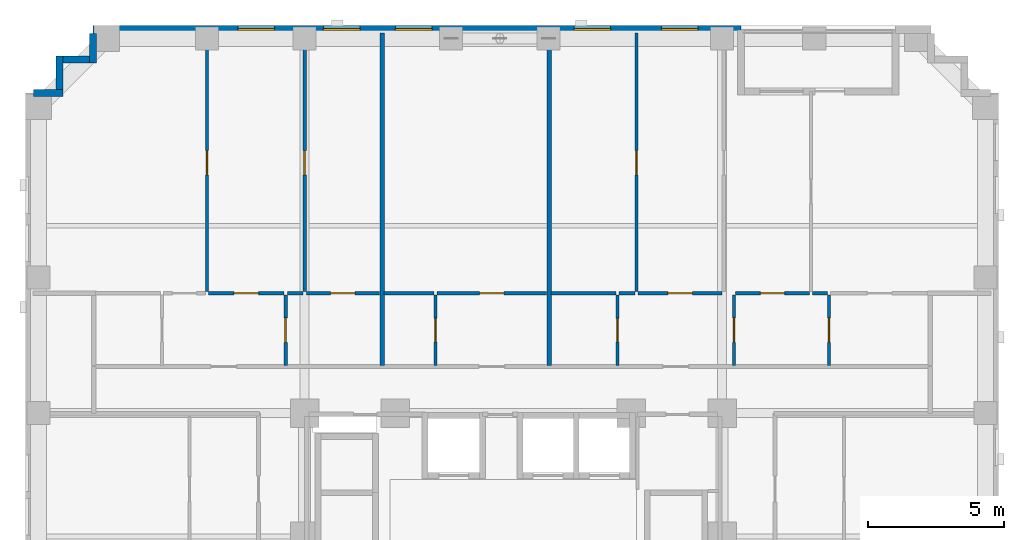
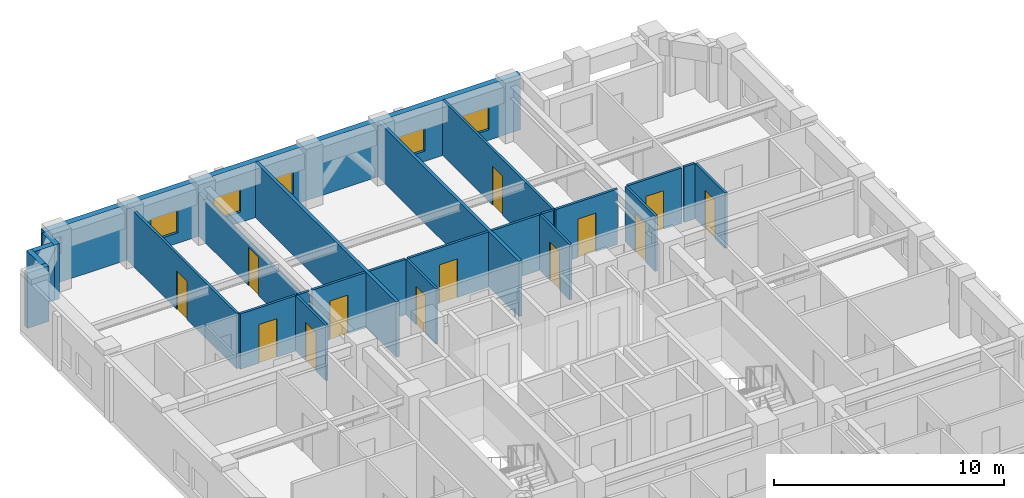
# One storey, part 7 of 12: 25 walls, 13 doors, 5 windows, 18 openings.
"""IFC4 building model written with IfcOpenShell, lengths in metres."""

from ifc_helpers import new_model, si_unit, derived_unit, direction, frame, frame_2d, origin, place, context, subcontext, project, spatial, rectangle, extrude, material, layer, layer_set, type_object, element, fill, save


model = new_model("IFC4")

# Units and contexts
model_context = context("Model", 3, precision=1e-05, world=origin(), true_north=direction((0.0, 1.0)))
body_context = subcontext(model_context, "Body", "Model", "MODEL_VIEW")
ifc_project = project(units=[si_unit("LENGTHUNIT", "METRE"), si_unit("AREAUNIT", "SQUARE_METRE"), si_unit("VOLUMEUNIT", "CUBIC_METRE"), si_unit("PLANEANGLEUNIT", "RADIAN"), si_unit("MASSUNIT", "GRAM", prefix="KILO"), derived_unit("THERMALTRANSMITTANCEUNIT", [(si_unit("MASSUNIT", "GRAM", prefix="KILO"), 1), (si_unit("TIMEUNIT", "SECOND"), -3), (si_unit("THERMODYNAMICTEMPERATUREUNIT", "KELVIN"), -1)])], contexts=[model_context])

# Site, building, storey
site_placement = place(None, origin())
site = spatial("IfcSite", under=ifc_project, at=site_placement, CompositionType="ELEMENT")
building_placement = place(site_placement, origin())
building = spatial("IfcBuilding", under=site, at=building_placement, Name="Korrvale Station Residences", CompositionType="ELEMENT")
storey_placement = place(building_placement, frame((0.0, 0.0, 87.89990234375)))
storey = spatial("IfcBuildingStorey", under=building, at=storey_placement, Name="L24", CompositionType="ELEMENT", Elevation=87.89990234375)

# Walls
ifc_material_1 = material(Name="Precast concrete C45/55", Category="concrete")
ifc_layer_1 = layer(ifc_material_1, 0.260009765625, Name="Precast concrete C45/55")
ifc_layer_set_1 = layer_set([ifc_layer_1], Name="Precast concrete C45/55")
wall_type_1 = type_object("IfcWallType", Name="WAL-EXT-LOG260", PredefinedType="SOLIDWALL", material=ifc_layer_set_1)
wall_1_placement = place(storey_placement, frame((7.802001953125, 40.800048828125, 0.0), z_axis=(0.0, 0.0, 1.0), x_axis=(1.0, 0.0, 0.0)))
element("IfcWall", 1, at=wall_1_placement, inside=storey, type_object=wall_type_1, Name="L24 Serrated Corner Precast Step NW-1", PredefinedType="SOLIDWALL", context=body_context, shape_type="SweptSolid", body=[
    extrude(rectangle(XDim=1.077880859375, YDim=0.260009765625, at=frame_2d((0.5390625, 0.0))), origin(), (0.0, 0.0, 1.0), 2.940185546875),
])
wall_2_placement = place(storey_placement, frame((8.75, 40.931884765625, 0.0), z_axis=(0.0, 0.0, 1.0), x_axis=(0.0, 1.0, 0.0)))
element("IfcWall", 2, at=wall_2_placement, inside=storey, type_object=wall_type_1, Name="L24 Serrated Corner Precast Step NW-2", PredefinedType="SOLIDWALL", context=body_context, shape_type="SweptSolid", body=[
    extrude(rectangle(XDim=1.248046875, YDim=0.260009765625, at=frame_2d((0.6240234375, 0.0))), origin(), (0.0, 0.0, 1.0), 2.940185546875),
])
wall_3_placement = place(storey_placement, frame((8.882080078125, 42.050048828125, 0.0), z_axis=(0.0, 0.0, 1.0), x_axis=(1.0, 0.0, 0.0)))
element("IfcWall", 3, at=wall_3_placement, inside=storey, type_object=wall_type_1, Name="L24 Serrated Corner Precast Step NW-3", PredefinedType="SOLIDWALL", context=body_context, shape_type="SweptSolid", body=[
    extrude(rectangle(XDim=0.98583984375, YDim=0.260009765625, at=frame_2d((0.492919921875, 0.0))), origin(), (0.0, 0.0, 1.0), 2.940185546875),
])
wall_4_placement = place(storey_placement, frame((10.0, 41.919921875, 0.0), z_axis=(0.0, 0.0, 1.0), x_axis=(0.0, 1.0, 0.0)))
element("IfcWall", 4, at=wall_4_placement, inside=storey, type_object=wall_type_1, Name="L24 Serrated Corner Precast Step NW-4", PredefinedType="SOLIDWALL", context=body_context, shape_type="SweptSolid", body=[
    extrude(rectangle(XDim=1.078125, YDim=0.260009765625, at=frame_2d((0.5390625, 0.0))), origin(), (0.0, 0.0, 1.0), 2.940185546875),
])

# Wall, openings, windows
ifc_layer_2 = layer(ifc_material_1, 0.300048828125, Name="Precast concrete C45/55")
ifc_layer_set_2 = layer_set([ifc_layer_2], Name="Precast concrete C45/55")
wall_type_2 = type_object("IfcWallType", Name="WAL-EXT-PC300", PredefinedType="SOLIDWALL", material=ifc_layer_set_2)
wall_5_placement = place(storey_placement, frame((10.0, 43.14990234375, 0.0), z_axis=(0.0, 0.0, 1.0), x_axis=(1.0, 0.0, 0.0)))
wall_5 = element("IfcWall", 5, at=wall_5_placement, inside=storey, type_object=wall_type_2, Name="L24 North Exterior Precast Wall 1", PredefinedType="SOLIDWALL", context=body_context, shape_type="SweptSolid", body=[
    extrude(rectangle(XDim=23.89990234375, YDim=0.300048828125, at=frame_2d((11.949951171875, 0.0))), origin(), (0.0, 0.0, 1.0), 2.940185546875),
])
opening_1_placement = place(wall_5_placement, frame((5.3369140625, 0.0, 0.550048828125)))
opening_1 = element("IfcOpeningElement", 6, at=opening_1_placement, cuts=wall_5, Name="Opening W-10", PredefinedType="OPENING", context=body_context, shape_type="SweptSolid", body=[
    extrude(rectangle(XDim=1.35009765625, YDim=1.199951171875, at=frame_2d((0.675048828125, 0.60009765625))), frame((0.0, 0.16015625, 0.0), z_axis=(0.0, -1.0, 0.0), x_axis=(1.0, 0.0, 0.0)), (0.0, 0.0, 1.0), 0.320068359375),
])
opening_2_placement = place(wall_5_placement, frame((8.493896484375, 0.0, 0.550048828125)))
opening_2 = element("IfcOpeningElement", 7, at=opening_2_placement, cuts=wall_5, Name="Opening W-10", PredefinedType="OPENING", context=body_context, shape_type="SweptSolid", body=[
    extrude(rectangle(XDim=1.35009765625, YDim=1.199951171875, at=frame_2d((0.675048828125, 0.60009765625))), frame((0.0, 0.16015625, 0.0), z_axis=(0.0, -1.0, 0.0), x_axis=(1.0, 0.0, 0.0)), (0.0, 0.0, 1.0), 0.320068359375),
])
opening_3_placement = place(wall_5_placement, frame((11.14990234375, 0.0, 0.550048828125)))
opening_3 = element("IfcOpeningElement", 8, at=opening_3_placement, cuts=wall_5, Name="Opening W-10", PredefinedType="OPENING", context=body_context, shape_type="SweptSolid", body=[
    extrude(rectangle(XDim=1.35009765625, YDim=1.199951171875, at=frame_2d((0.675048828125, 0.60009765625))), frame((0.0, 0.16015625, 0.0), z_axis=(0.0, -1.0, 0.0), x_axis=(1.0, 0.0, 0.0)), (0.0, 0.0, 1.0), 0.320068359375),
])
opening_4_placement = place(wall_5_placement, frame((17.738037109375, 0.0, 0.550048828125)))
opening_4 = element("IfcOpeningElement", 9, at=opening_4_placement, cuts=wall_5, Name="Opening W-10", PredefinedType="OPENING", context=body_context, shape_type="SweptSolid", body=[
    extrude(rectangle(XDim=1.35009765625, YDim=1.199951171875, at=frame_2d((0.675048828125, 0.60009765625))), frame((0.0, 0.16015625, 0.0), z_axis=(0.0, -1.0, 0.0), x_axis=(1.0, 0.0, 0.0)), (0.0, 0.0, 1.0), 0.320068359375),
])
opening_5_placement = place(wall_5_placement, frame((20.969970703125, 0.0, 0.550048828125)))
opening_5 = element("IfcOpeningElement", 10, at=opening_5_placement, cuts=wall_5, Name="Opening W-10", PredefinedType="OPENING", context=body_context, shape_type="SweptSolid", body=[
    extrude(rectangle(XDim=1.35009765625, YDim=1.199951171875, at=frame_2d((0.675048828125, 0.60009765625))), frame((0.0, 0.16015625, 0.0), z_axis=(0.0, -1.0, 0.0), x_axis=(1.0, 0.0, 0.0)), (0.0, 0.0, 1.0), 0.320068359375),
])
ifc_material_2 = material(Name="Thermally broken aluminium frame with triple low-e glazing", Category="aluminium")
window_type = type_object("IfcWindowType", Name="WIN-W10", PartitioningType="SINGLE_PANEL", PredefinedType="WINDOW", material=ifc_material_2)
window_1_placement = place(opening_1_placement, origin())
window_1 = element("IfcWindow", 11, at=window_1_placement, inside=storey, type_object=window_type, Name="L24 Punched Window 13", OverallHeight=1.199951171875, OverallWidth=1.35009765625, PartitioningType="SINGLE_PANEL", PredefinedType="WINDOW", context=body_context, shape_type="SweptSolid", body=[
    extrude(rectangle(XDim=1.35009765625, YDim=1.199951171875, at=frame_2d((0.675048828125, 0.60009765625))), frame((0.0, 0.030029296875, 0.0), z_axis=(0.0, -1.0, 0.0), x_axis=(1.0, 0.0, 0.0)), (0.0, 0.0, 1.0), 0.06005859375),
])
fill(opening_1, window_1)
window_2_placement = place(opening_2_placement, origin())
window_2 = element("IfcWindow", 12, at=window_2_placement, inside=storey, type_object=window_type, Name="L24 Punched Window 14", OverallHeight=1.199951171875, OverallWidth=1.35009765625, PartitioningType="SINGLE_PANEL", PredefinedType="WINDOW", context=body_context, shape_type="SweptSolid", body=[
    extrude(rectangle(XDim=1.35009765625, YDim=1.199951171875, at=frame_2d((0.675048828125, 0.60009765625))), frame((0.0, 0.030029296875, 0.0), z_axis=(0.0, -1.0, 0.0), x_axis=(1.0, 0.0, 0.0)), (0.0, 0.0, 1.0), 0.06005859375),
])
fill(opening_2, window_2)
window_3_placement = place(opening_3_placement, origin())
window_3 = element("IfcWindow", 13, at=window_3_placement, inside=storey, type_object=window_type, Name="L24 Punched Window 15", OverallHeight=1.199951171875, OverallWidth=1.35009765625, PartitioningType="SINGLE_PANEL", PredefinedType="WINDOW", context=body_context, shape_type="SweptSolid", body=[
    extrude(rectangle(XDim=1.35009765625, YDim=1.199951171875, at=frame_2d((0.675048828125, 0.60009765625))), frame((0.0, 0.030029296875, 0.0), z_axis=(0.0, -1.0, 0.0), x_axis=(1.0, 0.0, 0.0)), (0.0, 0.0, 1.0), 0.06005859375),
])
fill(opening_3, window_3)
window_4_placement = place(opening_4_placement, origin())
window_4 = element("IfcWindow", 14, at=window_4_placement, inside=storey, type_object=window_type, Name="L24 Punched Window 16", OverallHeight=1.199951171875, OverallWidth=1.35009765625, PartitioningType="SINGLE_PANEL", PredefinedType="WINDOW", context=body_context, shape_type="SweptSolid", body=[
    extrude(rectangle(XDim=1.35009765625, YDim=1.199951171875, at=frame_2d((0.675048828125, 0.60009765625))), frame((0.0, 0.030029296875, 0.0), z_axis=(0.0, -1.0, 0.0), x_axis=(1.0, 0.0, 0.0)), (0.0, 0.0, 1.0), 0.06005859375),
])
fill(opening_4, window_4)
window_5_placement = place(opening_5_placement, origin())
window_5 = element("IfcWindow", 15, at=window_5_placement, inside=storey, type_object=window_type, Name="L24 Punched Window 17", OverallHeight=1.199951171875, OverallWidth=1.35009765625, PartitioningType="SINGLE_PANEL", PredefinedType="WINDOW", context=body_context, shape_type="SweptSolid", body=[
    extrude(rectangle(XDim=1.35009765625, YDim=1.199951171875, at=frame_2d((0.675048828125, 0.60009765625))), frame((0.0, 0.030029296875, 0.0), z_axis=(0.0, -1.0, 0.0), x_axis=(1.0, 0.0, 0.0)), (0.0, 0.0, 1.0), 0.06005859375),
])
fill(opening_5, window_5)

# Wall, opening, door
ifc_material_3 = material(Name="Acoustic steel-stud gypsum board partition", Category="steel")
ifc_layer_3 = layer(ifc_material_3, 0.1201171875, Name="Acoustic steel-stud gypsum board partition")
ifc_layer_set_3 = layer_set([ifc_layer_3], Name="Acoustic steel-stud gypsum board partition")
wall_type_3 = type_object("IfcWallType", Name="WAL-PART-125", PredefinedType="PARTITIONING", material=ifc_layer_set_3)
wall_6_placement = place(storey_placement, frame((17.10009765625, 30.760009765625, 0.0), z_axis=(0.0, 0.0, 1.0), x_axis=(0.0, 1.0, 0.0)))
wall_6 = element("IfcWall", 16, at=wall_6_placement, inside=storey, type_object=wall_type_3, Name="L24 Suite Partition U05-V12", PredefinedType="PARTITIONING", context=body_context, shape_type="SweptSolid", body=[
    extrude(rectangle(XDim=2.60009765625, YDim=0.1201171875, at=frame_2d((1.300048828125, 0.0))), origin(), (0.0, 0.0, 1.0), 2.940185546875),
])
opening_6_placement = place(wall_6_placement, frame((0.85009765625, 0.0, 0.0)))
opening_6 = element("IfcOpeningElement", 17, at=opening_6_placement, cuts=wall_6, Name="Opening DI-900", PredefinedType="OPENING", context=body_context, shape_type="SweptSolid", body=[
    extrude(rectangle(XDim=0.89990234375, YDim=2.050048828125, at=frame_2d((0.449951171875, 1.02490234375))), frame((0.0, 0.070068359375, 0.0), z_axis=(0.0, -1.0, 0.0), x_axis=(1.0, 0.0, 0.0)), (0.0, 0.0, 1.0), 0.14013671875),
])
ifc_material_4 = material(Name="Painted solid-core timber interior room door", Category="wood")
door_type_1 = type_object("IfcDoorType", Name="DR-INT-900", OperationType="NOTDEFINED", PredefinedType="DOOR", material=ifc_material_4)
door_1_placement = place(opening_6_placement, origin())
door_1 = element("IfcDoor", 18, at=door_1_placement, inside=storey, type_object=door_type_1, Name="L24 Apartment 2BR L24-U05 Kitchen Door", OperationType="SINGLE_SWING_RIGHT", OverallHeight=2.050048828125, OverallWidth=0.89990234375, PredefinedType="DOOR", context=body_context, shape_type="SweptSolid", body=[
    extrude(rectangle(XDim=0.89990234375, YDim=2.050048828125, at=frame_2d((0.449951171875, 1.02490234375))), frame((0.0, 0.02490234375, 0.0), z_axis=(0.0, -1.0, 0.0), x_axis=(1.0, 0.0, 0.0)), (0.0, 0.0, 1.0), 0.050048828125),
])
fill(opening_6, door_1)

wall_7_placement = place(storey_placement, frame((14.260009765625, 33.419921875, 0.0), z_axis=(0.0, 0.0, 1.0), x_axis=(1.0, 0.0, 0.0)))
wall_7 = element("IfcWall", 19, at=wall_7_placement, inside=storey, type_object=wall_type_3, Name="L24 Suite Partition U05-H14", PredefinedType="PARTITIONING", context=body_context, shape_type="SweptSolid", body=[
    extrude(rectangle(XDim=2.780029296875, YDim=0.1201171875, at=frame_2d((1.39013671875, 0.0))), origin(), (0.0, 0.0, 1.0), 2.940185546875),
])
opening_7_placement = place(wall_7_placement, frame((0.93994140625, 0.0, 0.0)))
opening_7 = element("IfcOpeningElement", 20, at=opening_7_placement, cuts=wall_7, Name="Opening DI-900", PredefinedType="OPENING", context=body_context, shape_type="SweptSolid", body=[
    extrude(rectangle(XDim=0.89990234375, YDim=2.050048828125, at=frame_2d((0.449951171875, 1.02490234375))), frame((0.0, 0.070068359375, 0.0), z_axis=(0.0, -1.0, 0.0), x_axis=(1.0, 0.0, 0.0)), (0.0, 0.0, 1.0), 0.14013671875),
])
door_2_placement = place(opening_7_placement, origin())
door_2 = element("IfcDoor", 21, at=door_2_placement, inside=storey, type_object=door_type_1, Name="L24 Apartment 2BR L24-U05 Kitchen Door", OperationType="SINGLE_SWING_RIGHT", OverallHeight=2.050048828125, OverallWidth=0.89990234375, PredefinedType="DOOR", context=body_context, shape_type="SweptSolid", body=[
    extrude(rectangle(XDim=0.89990234375, YDim=2.050048828125, at=frame_2d((0.449951171875, 1.02490234375))), frame((0.0, 0.02490234375, 0.0), z_axis=(0.0, -1.0, 0.0), x_axis=(1.0, 0.0, 0.0)), (0.0, 0.0, 1.0), 0.050048828125),
])
fill(opening_7, door_2)

# Wall
wall_8_placement = place(storey_placement, frame((17.159912109375, 33.419921875, 0.0), z_axis=(0.0, 0.0, 1.0), x_axis=(1.0, 0.0, 0.0)))
element("IfcWall", 22, at=wall_8_placement, inside=storey, type_object=wall_type_3, Name="L24 Suite Partition U05-H24", PredefinedType="PARTITIONING", context=body_context, shape_type="SweptSolid", body=[
    extrude(rectangle(XDim=0.580078125, YDim=0.1201171875, at=frame_2d((0.2900390625, 0.0))), origin(), (0.0, 0.0, 1.0), 2.940185546875),
])

# Wall, opening, door
wall_9_placement = place(storey_placement, frame((17.860107421875, 33.419921875, 0.0), z_axis=(0.0, 0.0, 1.0), x_axis=(1.0, 0.0, 0.0)))
wall_9 = element("IfcWall", 23, at=wall_9_placement, inside=storey, type_object=wall_type_3, Name="L24 Suite Partition U05-H25", PredefinedType="PARTITIONING", context=body_context, shape_type="SweptSolid", body=[
    extrude(rectangle(XDim=2.698974609375, YDim=0.1201171875, at=frame_2d((1.349609375, 0.0))), origin(), (0.0, 0.0, 1.0), 2.940185546875),
])
opening_8_placement = place(wall_9_placement, frame((0.89892578125, 0.0, 0.0)))
opening_8 = element("IfcOpeningElement", 24, at=opening_8_placement, cuts=wall_9, Name="Opening DI-900", PredefinedType="OPENING", context=body_context, shape_type="SweptSolid", body=[
    extrude(rectangle(XDim=0.89990234375, YDim=2.050048828125, at=frame_2d((0.449951171875, 1.02490234375))), frame((0.0, 0.070068359375, 0.0), z_axis=(0.0, -1.0, 0.0), x_axis=(1.0, 0.0, 0.0)), (0.0, 0.0, 1.0), 0.14013671875),
])
door_3_placement = place(opening_8_placement, origin())
door_3 = element("IfcDoor", 25, at=door_3_placement, inside=storey, type_object=door_type_1, Name="L24 Apartment 2BR L24-U05 Home Study Room Door", OperationType="SINGLE_SWING_LEFT", OverallHeight=2.050048828125, OverallWidth=0.89990234375, PredefinedType="DOOR", context=body_context, shape_type="SweptSolid", body=[
    extrude(rectangle(XDim=0.89990234375, YDim=2.050048828125, at=frame_2d((0.449951171875, 1.02490234375))), frame((0.0, 0.02490234375, 0.0), z_axis=(0.0, -1.0, 0.0), x_axis=(1.0, 0.0, 0.0)), (0.0, 0.0, 1.0), 0.050048828125),
])
fill(opening_8, door_3)

wall_10_placement = place(storey_placement, frame((14.199951171875, 33.47998046875, 0.0), z_axis=(0.0, 0.0, 1.0), x_axis=(0.0, 1.0, 0.0)))
wall_10 = element("IfcWall", 26, at=wall_10_placement, inside=storey, type_object=wall_type_3, Name="L24 Suite Partition U05-V34", PredefinedType="PARTITIONING", context=body_context, shape_type="SweptSolid", body=[
    extrude(rectangle(XDim=9.5400390625, YDim=0.1201171875, at=frame_2d((4.77001953125, 0.0))), origin(), (0.0, 0.0, 1.0), 2.940185546875),
])
opening_9_placement = place(wall_10_placement, frame((4.304931640625, 0.0, 0.0)))
opening_9 = element("IfcOpeningElement", 27, at=opening_9_placement, cuts=wall_10, Name="Opening DI-900", PredefinedType="OPENING", context=body_context, shape_type="SweptSolid", body=[
    extrude(rectangle(XDim=0.89990234375, YDim=2.050048828125, at=frame_2d((0.449951171875, 1.02490234375))), frame((0.0, 0.070068359375, 0.0), z_axis=(0.0, -1.0, 0.0), x_axis=(1.0, 0.0, 0.0)), (0.0, 0.0, 1.0), 0.14013671875),
])
door_4_placement = place(opening_9_placement, origin())
door_4 = element("IfcDoor", 28, at=door_4_placement, inside=storey, type_object=door_type_1, Name="L24 Apartment 2BR L24-U05 Living and Dining Room Door", OperationType="SINGLE_SWING_RIGHT", OverallHeight=2.050048828125, OverallWidth=0.89990234375, PredefinedType="DOOR", context=body_context, shape_type="SweptSolid", body=[
    extrude(rectangle(XDim=0.89990234375, YDim=2.050048828125, at=frame_2d((0.449951171875, 1.02490234375))), frame((0.0, 0.02490234375, 0.0), z_axis=(0.0, -1.0, 0.0), x_axis=(1.0, 0.0, 0.0)), (0.0, 0.0, 1.0), 0.050048828125),
])
fill(opening_9, door_4)

wall_11_placement = place(storey_placement, frame((17.800048828125, 33.47998046875, 0.0), z_axis=(0.0, 0.0, 1.0), x_axis=(0.0, 1.0, 0.0)))
wall_11 = element("IfcWall", 29, at=wall_11_placement, inside=storey, type_object=wall_type_3, Name="L24 Suite Partition U05-V45", PredefinedType="PARTITIONING", context=body_context, shape_type="SweptSolid", body=[
    extrude(rectangle(XDim=9.5400390625, YDim=0.1201171875, at=frame_2d((4.77001953125, 0.0))), origin(), (0.0, 0.0, 1.0), 2.30908203125),
])
opening_10_placement = place(wall_11_placement, frame((4.304931640625, 0.0, 0.0)))
opening_10 = element("IfcOpeningElement", 30, at=opening_10_placement, cuts=wall_11, Name="Opening DI-900", PredefinedType="OPENING", context=body_context, shape_type="SweptSolid", body=[
    extrude(rectangle(XDim=0.89990234375, YDim=2.050048828125, at=frame_2d((0.449951171875, 1.02490234375))), frame((0.0, 0.070068359375, 0.0), z_axis=(0.0, -1.0, 0.0), x_axis=(1.0, 0.0, 0.0)), (0.0, 0.0, 1.0), 0.14013671875),
])
door_5_placement = place(opening_10_placement, origin())
door_5 = element("IfcDoor", 31, at=door_5_placement, inside=storey, type_object=door_type_1, Name="L24 Apartment 2BR L24-U05 Bedroom 1 Door", OperationType="SINGLE_SWING_LEFT", OverallHeight=2.050048828125, OverallWidth=0.89990234375, PredefinedType="DOOR", context=body_context, shape_type="SweptSolid", body=[
    extrude(rectangle(XDim=0.89990234375, YDim=2.050048828125, at=frame_2d((0.449951171875, 1.02490234375))), frame((0.0, 0.02490234375, 0.0), z_axis=(0.0, -1.0, 0.0), x_axis=(1.0, 0.0, 0.0)), (0.0, 0.0, 1.0), 0.050048828125),
])
fill(opening_10, door_5)

wall_12_placement = place(storey_placement, frame((22.62890625, 30.760009765625, 0.0), z_axis=(0.0, 0.0, 1.0), x_axis=(0.0, 1.0, 0.0)))
wall_12 = element("IfcWall", 32, at=wall_12_placement, inside=storey, type_object=wall_type_3, Name="L24 Suite Partition U06-V01", PredefinedType="PARTITIONING", context=body_context, shape_type="SweptSolid", body=[
    extrude(rectangle(XDim=2.60009765625, YDim=0.1201171875, at=frame_2d((1.300048828125, 0.0))), origin(), (0.0, 0.0, 1.0), 2.940185546875),
])
opening_11_placement = place(wall_12_placement, frame((0.8701171875, 0.0, 0.0)))
opening_11 = element("IfcOpeningElement", 33, at=opening_11_placement, cuts=wall_12, Name="Opening DB-860", PredefinedType="OPENING", context=body_context, shape_type="SweptSolid", body=[
    extrude(rectangle(XDim=0.860107421875, YDim=2.050048828125, at=frame_2d((0.43017578125, 1.02490234375))), frame((0.0, 0.070068359375, 0.0), z_axis=(0.0, -1.0, 0.0), x_axis=(1.0, 0.0, 0.0)), (0.0, 0.0, 1.0), 0.14013671875),
])
ifc_material_5 = material(Name="Moisture-resistant solid-core bathroom door", Category="timber")
door_type_2 = type_object("IfcDoorType", Name="DR-BATH-860", OperationType="NOTDEFINED", PredefinedType="DOOR", material=ifc_material_5)
door_6_placement = place(opening_11_placement, origin())
door_6 = element("IfcDoor", 34, at=door_6_placement, inside=storey, type_object=door_type_2, Name="L24 Studio Apartment L24-U06 Bathroom Door", OperationType="SINGLE_SWING_RIGHT", OverallHeight=2.050048828125, OverallWidth=0.860107421875, PredefinedType="DOOR", context=body_context, shape_type="SweptSolid", body=[
    extrude(rectangle(XDim=0.860107421875, YDim=2.050048828125, at=frame_2d((0.43017578125, 1.02490234375))), frame((0.0, 0.02490234375, 0.0), z_axis=(0.0, -1.0, 0.0), x_axis=(1.0, 0.0, 0.0)), (0.0, 0.0, 1.0), 0.050048828125),
])
fill(opening_11, door_6)

# Wall
wall_13_placement = place(storey_placement, frame((20.718994140625, 33.419921875, 0.0), z_axis=(0.0, 0.0, 1.0), x_axis=(1.0, 0.0, 0.0)))
element("IfcWall", 35, at=wall_13_placement, inside=storey, type_object=wall_type_3, Name="L24 Suite Partition U06-H02", PredefinedType="PARTITIONING", context=body_context, shape_type="SweptSolid", body=[
    extrude(rectangle(XDim=1.85009765625, YDim=0.1201171875, at=frame_2d((0.925048828125, 0.0))), origin(), (0.0, 0.0, 1.0), 2.940185546875),
])

# Wall, opening, door
wall_14_placement = place(storey_placement, frame((22.68896484375, 33.419921875, 0.0), z_axis=(0.0, 0.0, 1.0), x_axis=(1.0, 0.0, 0.0)))
wall_14 = element("IfcWall", 36, at=wall_14_placement, inside=storey, type_object=wall_type_3, Name="L24 Suite Partition U06-H12", PredefinedType="PARTITIONING", context=body_context, shape_type="SweptSolid", body=[
    extrude(rectangle(XDim=4.031005859375, YDim=0.1201171875, at=frame_2d((2.015625, 0.0))), origin(), (0.0, 0.0, 1.0), 2.940185546875),
])
opening_12_placement = place(wall_14_placement, frame((1.56494140625, 0.0, 0.0)))
opening_12 = element("IfcOpeningElement", 37, at=opening_12_placement, cuts=wall_14, Name="Opening DI-900", PredefinedType="OPENING", context=body_context, shape_type="SweptSolid", body=[
    extrude(rectangle(XDim=0.89990234375, YDim=2.050048828125, at=frame_2d((0.449951171875, 1.02490234375))), frame((0.0, 0.070068359375, 0.0), z_axis=(0.0, -1.0, 0.0), x_axis=(1.0, 0.0, 0.0)), (0.0, 0.0, 1.0), 0.14013671875),
])
door_7_placement = place(opening_12_placement, origin())
door_7 = element("IfcDoor", 38, at=door_7_placement, inside=storey, type_object=door_type_1, Name="L24 Studio Apartment L24-U06 Kitchen Door", OperationType="SINGLE_SWING_LEFT", OverallHeight=2.050048828125, OverallWidth=0.89990234375, PredefinedType="DOOR", context=body_context, shape_type="SweptSolid", body=[
    extrude(rectangle(XDim=0.89990234375, YDim=2.050048828125, at=frame_2d((0.449951171875, 1.02490234375))), frame((0.0, 0.02490234375, 0.0), z_axis=(0.0, -1.0, 0.0), x_axis=(1.0, 0.0, 0.0)), (0.0, 0.0, 1.0), 0.050048828125),
])
fill(opening_12, door_7)

wall_15_placement = place(storey_placement, frame((29.340087890625, 30.760009765625, 0.0), z_axis=(0.0, 0.0, 1.0), x_axis=(0.0, 1.0, 0.0)))
wall_15 = element("IfcWall", 39, at=wall_15_placement, inside=storey, type_object=wall_type_3, Name="L24 Suite Partition U07-V01", PredefinedType="PARTITIONING", context=body_context, shape_type="SweptSolid", body=[
    extrude(rectangle(XDim=2.60009765625, YDim=0.1201171875, at=frame_2d((1.300048828125, 0.0))), origin(), (0.0, 0.0, 1.0), 2.940185546875),
])
opening_13_placement = place(wall_15_placement, frame((0.8701171875, 0.0, 0.0)))
opening_13 = element("IfcOpeningElement", 40, at=opening_13_placement, cuts=wall_15, Name="Opening DB-860", PredefinedType="OPENING", context=body_context, shape_type="SweptSolid", body=[
    extrude(rectangle(XDim=0.860107421875, YDim=2.050048828125, at=frame_2d((0.43017578125, 1.02490234375))), frame((0.0, 0.070068359375, 0.0), z_axis=(0.0, -1.0, 0.0), x_axis=(1.0, 0.0, 0.0)), (0.0, 0.0, 1.0), 0.14013671875),
])
door_8_placement = place(opening_13_placement, origin())
door_8 = element("IfcDoor", 41, at=door_8_placement, inside=storey, type_object=door_type_2, Name="L24 Studio Apartment L24-U07 Bathroom Door", OperationType="SINGLE_SWING_RIGHT", OverallHeight=2.050048828125, OverallWidth=0.860107421875, PredefinedType="DOOR", context=body_context, shape_type="SweptSolid", body=[
    extrude(rectangle(XDim=0.860107421875, YDim=2.050048828125, at=frame_2d((0.43017578125, 1.02490234375))), frame((0.0, 0.02490234375, 0.0), z_axis=(0.0, -1.0, 0.0), x_axis=(1.0, 0.0, 0.0)), (0.0, 0.0, 1.0), 0.050048828125),
])
fill(opening_13, door_8)

# Wall
wall_16_placement = place(storey_placement, frame((26.8798828125, 33.419921875, 0.0), z_axis=(0.0, 0.0, 1.0), x_axis=(1.0, 0.0, 0.0)))
element("IfcWall", 42, at=wall_16_placement, inside=storey, type_object=wall_type_3, Name="L24 Suite Partition U07-H04", PredefinedType="PARTITIONING", context=body_context, shape_type="SweptSolid", body=[
    extrude(rectangle(XDim=2.400146484375, YDim=0.1201171875, at=frame_2d((1.2001953125, 0.0))), origin(), (0.0, 0.0, 1.0), 2.940185546875),
])

# Wall, opening, door
wall_17_placement = place(storey_placement, frame((33.639892578125, 30.760009765625, 0.0), z_axis=(0.0, 0.0, 1.0), x_axis=(0.0, 1.0, 0.0)))
wall_17 = element("IfcWall", 43, at=wall_17_placement, inside=storey, type_object=wall_type_3, Name="L24 Suite Partition U07-V12", PredefinedType="PARTITIONING", context=body_context, shape_type="SweptSolid", body=[
    extrude(rectangle(XDim=2.60009765625, YDim=0.1201171875, at=frame_2d((1.300048828125, 0.0))), origin(), (0.0, 0.0, 1.0), 2.940185546875),
])
opening_14_placement = place(wall_17_placement, frame((0.85009765625, 0.0, 0.0)))
opening_14 = element("IfcOpeningElement", 44, at=opening_14_placement, cuts=wall_17, Name="Opening DI-900", PredefinedType="OPENING", context=body_context, shape_type="SweptSolid", body=[
    extrude(rectangle(XDim=0.89990234375, YDim=2.050048828125, at=frame_2d((0.449951171875, 1.02490234375))), frame((0.0, 0.070068359375, 0.0), z_axis=(0.0, -1.0, 0.0), x_axis=(1.0, 0.0, 0.0)), (0.0, 0.0, 1.0), 0.14013671875),
])
door_9_placement = place(opening_14_placement, origin())
door_9 = element("IfcDoor", 45, at=door_9_placement, inside=storey, type_object=door_type_1, Name="L24 Studio Apartment L24-U07 Kitchen Door", OperationType="SINGLE_SWING_LEFT", OverallHeight=2.050048828125, OverallWidth=0.89990234375, PredefinedType="DOOR", context=body_context, shape_type="SweptSolid", body=[
    extrude(rectangle(XDim=0.89990234375, YDim=2.050048828125, at=frame_2d((0.449951171875, 1.02490234375))), frame((0.0, 0.02490234375, 0.0), z_axis=(0.0, -1.0, 0.0), x_axis=(1.0, 0.0, 0.0)), (0.0, 0.0, 1.0), 0.050048828125),
])
fill(opening_14, door_9)

# Wall
wall_18_placement = place(storey_placement, frame((29.39990234375, 33.419921875, 0.0), z_axis=(0.0, 0.0, 1.0), x_axis=(1.0, 0.0, 0.0)))
element("IfcWall", 46, at=wall_18_placement, inside=storey, type_object=wall_type_3, Name="L24 Suite Partition U07-H14", PredefinedType="PARTITIONING", context=body_context, shape_type="SweptSolid", body=[
    extrude(rectangle(XDim=0.580078125, YDim=0.1201171875, at=frame_2d((0.2900390625, 0.0))), origin(), (0.0, 0.0, 1.0), 2.940185546875),
])

# Wall, opening, door
wall_19_placement = place(storey_placement, frame((30.10009765625, 33.419921875, 0.0), z_axis=(0.0, 0.0, 1.0), x_axis=(1.0, 0.0, 0.0)))
wall_19 = element("IfcWall", 47, at=wall_19_placement, inside=storey, type_object=wall_type_3, Name="L24 Suite Partition U07-H15", PredefinedType="PARTITIONING", context=body_context, shape_type="SweptSolid", body=[
    extrude(rectangle(XDim=3.099853515625, YDim=0.1201171875, at=frame_2d((1.5498046875, 0.0))), origin(), (0.0, 0.0, 1.0), 2.940185546875),
])
opening_15_placement = place(wall_19_placement, frame((1.10009765625, 0.0, 0.0)))
opening_15 = element("IfcOpeningElement", 48, at=opening_15_placement, cuts=wall_19, Name="Opening DI-900", PredefinedType="OPENING", context=body_context, shape_type="SweptSolid", body=[
    extrude(rectangle(XDim=0.89990234375, YDim=2.050048828125, at=frame_2d((0.449951171875, 1.02490234375))), frame((0.0, 0.070068359375, 0.0), z_axis=(0.0, -1.0, 0.0), x_axis=(1.0, 0.0, 0.0)), (0.0, 0.0, 1.0), 0.14013671875),
])
door_10_placement = place(opening_15_placement, origin())
door_10 = element("IfcDoor", 49, at=door_10_placement, inside=storey, type_object=door_type_1, Name="L24 Studio Apartment L24-U07 Kitchen Door", OperationType="SINGLE_SWING_RIGHT", OverallHeight=2.050048828125, OverallWidth=0.89990234375, PredefinedType="DOOR", context=body_context, shape_type="SweptSolid", body=[
    extrude(rectangle(XDim=0.89990234375, YDim=2.050048828125, at=frame_2d((0.449951171875, 1.02490234375))), frame((0.0, 0.02490234375, 0.0), z_axis=(0.0, -1.0, 0.0), x_axis=(1.0, 0.0, 0.0)), (0.0, 0.0, 1.0), 0.050048828125),
])
fill(opening_15, door_10)

wall_20_placement = place(storey_placement, frame((37.14501953125, 30.760009765625, 0.0), z_axis=(0.0, 0.0, 1.0), x_axis=(0.0, 1.0, 0.0)))
wall_20 = element("IfcWall", 50, at=wall_20_placement, inside=storey, type_object=wall_type_3, Name="L24 Suite Partition U07-V23", PredefinedType="PARTITIONING", context=body_context, shape_type="SweptSolid", body=[
    extrude(rectangle(XDim=2.60009765625, YDim=0.1201171875, at=frame_2d((1.300048828125, 0.0))), origin(), (0.0, 0.0, 1.0), 2.940185546875),
])
opening_16_placement = place(wall_20_placement, frame((0.85009765625, 0.0, 0.0)))
opening_16 = element("IfcOpeningElement", 51, at=opening_16_placement, cuts=wall_20, Name="Opening DI-900", PredefinedType="OPENING", context=body_context, shape_type="SweptSolid", body=[
    extrude(rectangle(XDim=0.89990234375, YDim=2.050048828125, at=frame_2d((0.449951171875, 1.02490234375))), frame((0.0, 0.070068359375, 0.0), z_axis=(0.0, -1.0, 0.0), x_axis=(1.0, 0.0, 0.0)), (0.0, 0.0, 1.0), 0.14013671875),
])
door_11_placement = place(opening_16_placement, origin())
door_11 = element("IfcDoor", 52, at=door_11_placement, inside=storey, type_object=door_type_1, Name="L24 Studio Apartment L24-U07 Home Study Room Door", OperationType="SINGLE_SWING_LEFT", OverallHeight=2.050048828125, OverallWidth=0.89990234375, PredefinedType="DOOR", context=body_context, shape_type="SweptSolid", body=[
    extrude(rectangle(XDim=0.89990234375, YDim=2.050048828125, at=frame_2d((0.449951171875, 1.02490234375))), frame((0.0, 0.02490234375, 0.0), z_axis=(0.0, -1.0, 0.0), x_axis=(1.0, 0.0, 0.0)), (0.0, 0.0, 1.0), 0.050048828125),
])
fill(opening_16, door_11)

wall_21_placement = place(storey_placement, frame((33.699951171875, 33.419921875, 0.0), z_axis=(0.0, 0.0, 1.0), x_axis=(1.0, 0.0, 0.0)))
wall_21 = element("IfcWall", 53, at=wall_21_placement, inside=storey, type_object=wall_type_3, Name="L24 Suite Partition U07-H26", PredefinedType="PARTITIONING", context=body_context, shape_type="SweptSolid", body=[
    extrude(rectangle(XDim=2.719970703125, YDim=0.1201171875, at=frame_2d((1.35986328125, 0.0))), origin(), (0.0, 0.0, 1.0), 2.940185546875),
])
opening_17_placement = place(wall_21_placement, frame((0.909912109375, 0.0, 0.0)))
opening_17 = element("IfcOpeningElement", 54, at=opening_17_placement, cuts=wall_21, Name="Opening DI-900", PredefinedType="OPENING", context=body_context, shape_type="SweptSolid", body=[
    extrude(rectangle(XDim=0.89990234375, YDim=2.050048828125, at=frame_2d((0.449951171875, 1.02490234375))), frame((0.0, 0.070068359375, 0.0), z_axis=(0.0, -1.0, 0.0), x_axis=(1.0, 0.0, 0.0)), (0.0, 0.0, 1.0), 0.14013671875),
])
door_12_placement = place(opening_17_placement, origin())
door_12 = element("IfcDoor", 55, at=door_12_placement, inside=storey, type_object=door_type_1, Name="L24 Studio Apartment L24-U07 Home Study Room Door", OperationType="SINGLE_SWING_RIGHT", OverallHeight=2.050048828125, OverallWidth=0.89990234375, PredefinedType="DOOR", context=body_context, shape_type="SweptSolid", body=[
    extrude(rectangle(XDim=0.89990234375, YDim=2.050048828125, at=frame_2d((0.449951171875, 1.02490234375))), frame((0.0, 0.02490234375, 0.0), z_axis=(0.0, -1.0, 0.0), x_axis=(1.0, 0.0, 0.0)), (0.0, 0.0, 1.0), 0.050048828125),
])
fill(opening_17, door_12)

# Wall
wall_22_placement = place(storey_placement, frame((36.5400390625, 33.419921875, 0.0), z_axis=(0.0, 0.0, 1.0), x_axis=(1.0, 0.0, 0.0)))
element("IfcWall", 56, at=wall_22_placement, inside=storey, type_object=wall_type_3, Name="L24 Suite Partition U07-H27", PredefinedType="PARTITIONING", context=body_context, shape_type="SweptSolid", body=[
    extrude(rectangle(XDim=0.544921875, YDim=0.1201171875, at=frame_2d((0.2724609375, 0.0))), origin(), (0.0, 0.0, 1.0), 2.940185546875),
])

# Wall, opening, door
wall_23_placement = place(storey_placement, frame((30.0400390625, 33.47998046875, 0.0), z_axis=(0.0, 0.0, 1.0), x_axis=(0.0, 1.0, 0.0)))
wall_23 = element("IfcWall", 57, at=wall_23_placement, inside=storey, type_object=wall_type_3, Name="L24 Suite Partition U07-V45", PredefinedType="PARTITIONING", context=body_context, shape_type="SweptSolid", body=[
    extrude(rectangle(XDim=9.5400390625, YDim=0.1201171875, at=frame_2d((4.77001953125, 0.0))), origin(), (0.0, 0.0, 1.0), 2.940185546875),
])
opening_18_placement = place(wall_23_placement, frame((4.304931640625, 0.0, 0.0)))
opening_18 = element("IfcOpeningElement", 58, at=opening_18_placement, cuts=wall_23, Name="Opening DI-900", PredefinedType="OPENING", context=body_context, shape_type="SweptSolid", body=[
    extrude(rectangle(XDim=0.89990234375, YDim=2.050048828125, at=frame_2d((0.449951171875, 1.02490234375))), frame((0.0, 0.070068359375, 0.0), z_axis=(0.0, -1.0, 0.0), x_axis=(1.0, 0.0, 0.0)), (0.0, 0.0, 1.0), 0.14013671875),
])
door_13_placement = place(opening_18_placement, origin())
door_13 = element("IfcDoor", 59, at=door_13_placement, inside=storey, type_object=door_type_1, Name="L24 Studio Apartment L24-U07 Formal Dining Room Door", OperationType="SINGLE_SWING_RIGHT", OverallHeight=2.050048828125, OverallWidth=0.89990234375, PredefinedType="DOOR", context=body_context, shape_type="SweptSolid", body=[
    extrude(rectangle(XDim=0.89990234375, YDim=2.050048828125, at=frame_2d((0.449951171875, 1.02490234375))), frame((0.0, 0.02490234375, 0.0), z_axis=(0.0, -1.0, 0.0), x_axis=(1.0, 0.0, 0.0)), (0.0, 0.0, 1.0), 0.050048828125),
])
fill(opening_18, door_13)

# Walls
ifc_material_6 = material(Name="Fire-rated twin-stud gypsum and mineral wool shaftwall assembly", Category="gypsum")
ifc_layer_4 = layer(ifc_material_6, 0.159912109375, Name="Fire-rated twin-stud gypsum and mineral wool shaftwall assembly")
ifc_layer_set_4 = layer_set([ifc_layer_4], Name="Fire-rated twin-stud gypsum and mineral wool shaftwall assembly")
wall_type_4 = type_object("IfcWallType", Name="WAL-PART-200", PredefinedType="PARTITIONING", material=ifc_layer_set_4)
for number, where, z_axis, x_axis, name in (
    (60, (20.658935546875, 30.760009765625, 0.0), (0.0, 0.0, 1.0), (0.0, 1.0, 0.0), "L24 Demising Wall U06-W"),
    (61, (26.820068359375, 30.760009765625, 0.0), (0.0, 0.0, 1.0), (0.0, 1.0, 0.0), "L24 Demising Wall U07-W"),
):
    element("IfcWall", number, at=place(storey_placement, frame(where, z_axis=z_axis, x_axis=x_axis)), inside=storey, type_object=wall_type_4, Name=name, PredefinedType="PARTITIONING", context=body_context, shape_type="SweptSolid", body=[
        extrude(rectangle(XDim=12.260009765625, YDim=0.159912109375, at=frame_2d((6.1298828125, 0.0))), origin(), (0.0, 0.0, 1.0), 2.940185546875),
    ])

save(model, "model.ifc")
